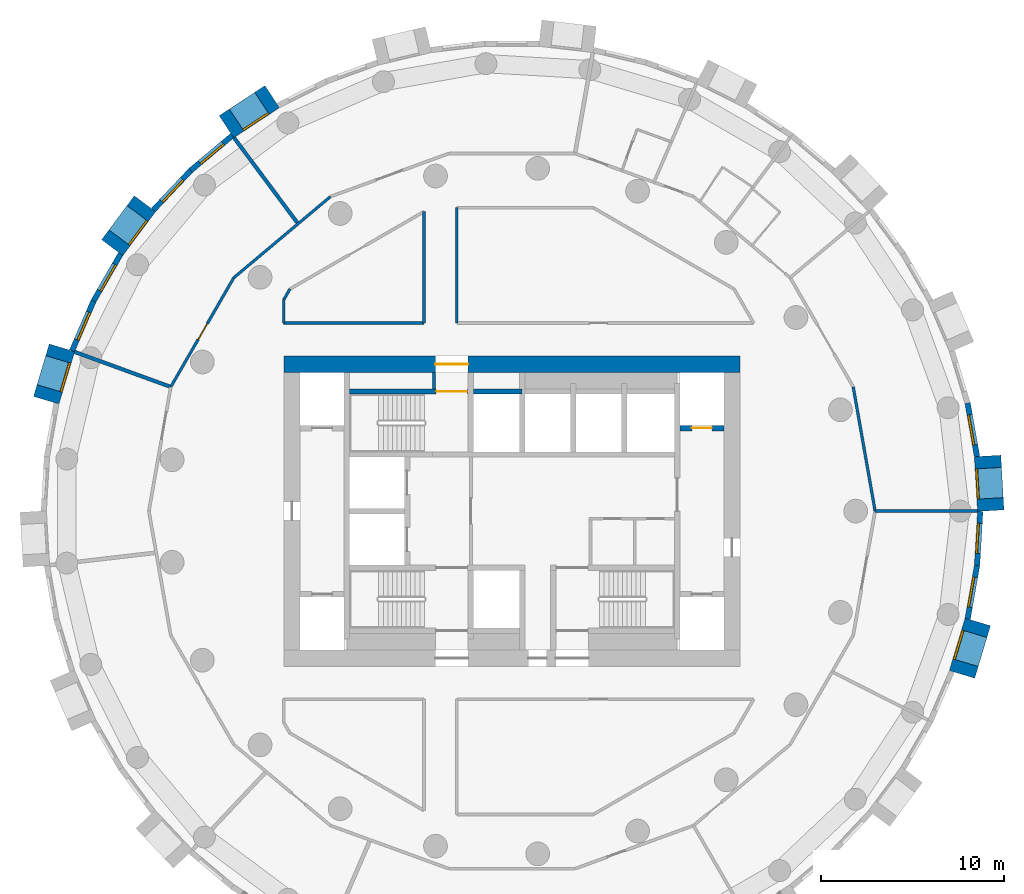
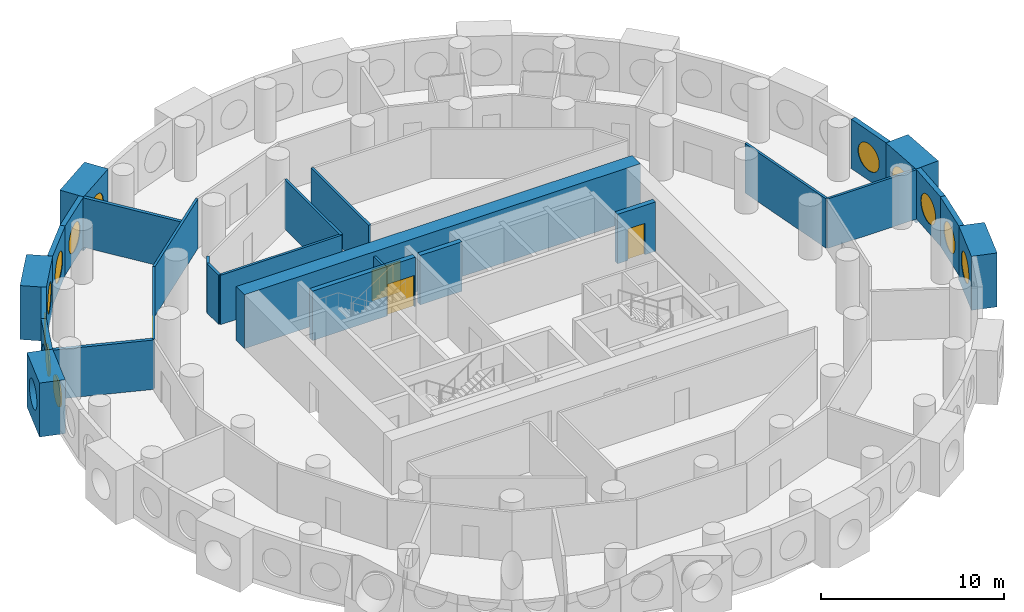
# One storey, part 5 of 9: 29 walls, 12 windows, 4 doors, 16 openings.
"""IFC4 building model written with IfcOpenShell, lengths in metres."""

import ifcopenshell
import ifcopenshell.guid

model = None  # the IFC model being written
_history = None  # IfcOwnerHistory: only IFC2X3 demands one
_inside = {}  # id of a spatial element -> (the spatial element, [elements in it])
_under = {}  # id of a project, library or spatial element -> (it, [spatial elements below it])
_declared = {}  # id of a project -> (the project, [libraries it declares])
_typed = {}  # id of a type object -> (the type object, [elements of that type])
_made_of = {}  # id of a material, layer set ... -> (it, [elements and type objects made of it])


def new_model(schema):
    """Start an empty IFC model of exactly this schema.

    Asked for "IFC4X3", IfcOpenShell would pick the latest addendum, in which some entities
    have other attributes; the version numbers below select the first issue.
    IFC2X3 requires an IfcOwnerHistory on every rooted entity: one is made here for all.
    """
    global model, _history
    if schema == "IFC4X3":
        model = ifcopenshell.file(schema_version=(4, 3, 0, 0))
    else:
        model = ifcopenshell.file(schema=schema)
    _inside.clear()
    _under.clear()
    _declared.clear()
    _typed.clear()
    _made_of.clear()
    _history = None
    if model.schema == "IFC2X3":
        org = make("IfcOrganization", Name="unknown")
        user = make(
            "IfcPersonAndOrganization",
            ThePerson=make("IfcPerson", FamilyName="unknown"),
            TheOrganization=org,
        )
        app = make(
            "IfcApplication",
            ApplicationDeveloper=org,
            Version="unknown",
            ApplicationFullName="unknown",
            ApplicationIdentifier="unknown",
        )
        _history = make(
            "IfcOwnerHistory",
            OwningUser=user,
            OwningApplication=app,
            ChangeAction="ADDED",
            CreationDate=0,
        )
    return model


def make(cls, **values):
    """One entity of the class cls with the attributes given. An attribute that is None is left unset."""
    return model.create_entity(
        cls, **{name: value for name, value in values.items() if value is not None}
    )


def rooted(cls, **values):
    """An entity with a GlobalId (a new one), such as an element, a storey or a relation."""
    return make(cls, GlobalId=ifcopenshell.guid.new(), OwnerHistory=_history, **values)


def si_unit(unit_type, name, prefix=None):
    """IfcSIUnit, for example si_unit("LENGTHUNIT", "METRE", prefix="MILLI")."""
    return make("IfcSIUnit", UnitType=unit_type, Prefix=prefix, Name=name)


def assignment(units):
    """IfcUnitAssignment: the units of a project."""
    return None if units is None else make("IfcUnitAssignment", Units=units)


def point(xyz):
    """IfcCartesianPoint."""
    return None if xyz is None else make("IfcCartesianPoint", Coordinates=xyz)


def direction(xyz):
    """IfcDirection."""
    return None if xyz is None else make("IfcDirection", DirectionRatios=xyz)


def frame(location, z_axis=None, x_axis=None):
    """IfcAxis2Placement3D, a coordinate frame: its origin and axes. An axis left out is left unset."""
    return make(
        "IfcAxis2Placement3D",
        Location=point(location),
        Axis=direction(z_axis),
        RefDirection=direction(x_axis),
    )


def frame_2d(location, x_axis=None):
    """IfcAxis2Placement2D, a coordinate frame in the plane: its origin and x axis."""
    return make(
        "IfcAxis2Placement2D", Location=point(location), RefDirection=direction(x_axis)
    )


def origin():
    """The frame at (0, 0, 0) with its axes left unset."""
    return frame((0.0, 0.0, 0.0))


def origin_2d():
    """The frame at (0, 0) in the plane with its x axis left unset."""
    return frame_2d((0.0, 0.0))


def place(relative_to, where):
    """IfcLocalPlacement: puts the frame where relative to a parent placement (None: the world)."""
    return make(
        "IfcLocalPlacement", PlacementRelTo=relative_to, RelativePlacement=where
    )


def context(
    kind, dimensions, precision=None, world=None, true_north=None, identifier=None
):
    """IfcGeometricRepresentationContext, for example the 3D "Model" context."""
    return make(
        "IfcGeometricRepresentationContext",
        ContextIdentifier=identifier,
        ContextType=kind,
        CoordinateSpaceDimension=dimensions,
        Precision=precision,
        WorldCoordinateSystem=world,
        TrueNorth=true_north,
    )


def subcontext(parent, identifier, kind, view, scale=None):
    """IfcGeometricRepresentationSubContext, for example "Body" below "Model"."""
    return make(
        "IfcGeometricRepresentationSubContext",
        ContextIdentifier=identifier,
        ContextType=kind,
        ParentContext=parent,
        TargetScale=scale,
        TargetView=view,
    )


def project(units=None, contexts=None):
    """IfcProject with its units and contexts."""
    return rooted(
        "IfcProject",
        Name="project",
        RepresentationContexts=contexts,
        UnitsInContext=assignment(units),
    )


def spatial(cls, under=None, at=None, **own):
    """A site, building, storey or space (cls), placed at a placement, below another one or the project."""
    s = rooted(cls, ObjectPlacement=at, **own)
    if under is not None:
        _under.setdefault(under.id(), (under, []))[1].append(s)
    return s


def profile(cls, at=None, kind="AREA", **sizes):
    """A parametric profile (cls). Its sizes go by their IFC names, for example OverallWidth=200.0."""
    return make(cls, ProfileType=kind, Position=at, **sizes)


def rectangle(**sizes):
    """IfcRectangleProfileDef."""
    return profile("IfcRectangleProfileDef", **sizes)


def circle(**sizes):
    """IfcCircleProfileDef."""
    return profile("IfcCircleProfileDef", **sizes)


def extrude(swept, where, along, depth):
    """IfcExtrudedAreaSolid: the profile swept, set in the frame where, extruded along a direction by depth."""
    return make(
        "IfcExtrudedAreaSolid",
        SweptArea=swept,
        Position=where,
        ExtrudedDirection=direction(along),
        Depth=depth,
    )


def shape(context_of_items, identifier, shape_type, items):
    """IfcShapeRepresentation: the items that make up one representation, for example the "Body"."""
    return make(
        "IfcShapeRepresentation",
        ContextOfItems=context_of_items,
        RepresentationIdentifier=identifier,
        RepresentationType=shape_type,
        Items=items,
    )


def material(Name=None, Category=None):
    """IfcMaterial."""
    return make("IfcMaterial", Name=Name, Category=Category)


def layer(
    of_material, thickness, ventilated=None, Name=None, Category=None, Priority=None
):
    """IfcMaterialLayer: one layer of a wall or slab, of a material (None: an air gap)."""
    return make(
        "IfcMaterialLayer",
        Material=of_material,
        LayerThickness=thickness,
        IsVentilated=ventilated,
        Name=Name,
        Category=Category,
        Priority=Priority,
    )


def layer_set(layers, Name=None):
    """IfcMaterialLayerSet."""
    return make("IfcMaterialLayerSet", MaterialLayers=layers, LayerSetName=Name)


def made_of(thing, what):
    """Note that an element or type object is made of a material, layer set ...; save() writes the relation."""
    if what is not None:
        _made_of.setdefault(what.id(), (what, []))[1].append(thing)
    return thing


def type_object(cls, material=None, **own):
    """A type object (cls), such as IfcWallType, which elements share."""
    return made_of(rooted(cls, **own), material)


def element(
    cls,
    number,
    at=None,
    inside=None,
    cuts=None,
    type_object=None,
    material=None,
    context=None,
    identifier="Body",
    shape_type=None,
    held_by="IfcProductDefinitionShape",
    body=None,
    shapes=None,
    **own,
):
    """One element of the class cls, such as IfcWall. Its Tag is "e" and its number.

    at: its placement. inside: the storey or other place that contains it. cuts: it is an
    opening in that element (IfcRelVoidsElement). A single representation is given by context,
    identifier, shape_type and body (its items); several are given by shapes. held_by: the class
    of the entity that holds the representations. save() writes the other relations.
    """
    e = rooted(cls, Tag="e%d" % number, ObjectPlacement=at, **own)
    if body is not None:
        shapes = [shape(context, identifier, shape_type, body)]
    if shapes is not None:
        e.Representation = make(held_by, Representations=shapes)
    if inside is not None:
        _inside.setdefault(inside.id(), (inside, []))[1].append(e)
    if cuts is not None:
        rooted(
            "IfcRelVoidsElement", RelatingBuildingElement=cuts, RelatedOpeningElement=e
        )
    if type_object is not None:
        _typed.setdefault(type_object.id(), (type_object, []))[1].append(e)
    return made_of(e, material)


def fill(opening, filler):
    """IfcRelFillsElement: the door or window that sits in an opening."""
    return rooted(
        "IfcRelFillsElement",
        RelatingOpeningElement=opening,
        RelatedBuildingElement=filler,
    )


def aggregate(whole, parts):
    """IfcRelAggregates: a whole, such as a stair, and the parts it consists of."""
    return rooted("IfcRelAggregates", RelatingObject=whole, RelatedObjects=parts)


def save(model, path):
    """Write the relations noted so far, then the file.

    IfcRelAggregates (storeys below a building ...), IfcRelContainedInSpatialStructure (elements
    in a storey), IfcRelDefinesByType, IfcRelAssociatesMaterial and IfcRelDeclares: one each for
    every whole, place, type object, material and project.
    """
    for whole, parts in _under.values():
        aggregate(whole, parts)
    for where, things in _inside.values():
        rooted(
            "IfcRelContainedInSpatialStructure",
            RelatedElements=things,
            RelatingStructure=where,
        )
    for kind, things in _typed.values():
        rooted("IfcRelDefinesByType", RelatedObjects=things, RelatingType=kind)
    for what, things in _made_of.values():
        rooted("IfcRelAssociatesMaterial", RelatedObjects=things, RelatingMaterial=what)
    for by, libraries in _declared.values():
        rooted("IfcRelDeclares", RelatingContext=by, RelatedDefinitions=libraries)
    model.write(path)


model = new_model("IFC4")

# Units and contexts
model_context = context("Model", 3, precision=1e-05, world=origin(), true_north=direction((0.0, 1.0)))
body_context = subcontext(model_context, "Body", "Model", "MODEL_VIEW")
ifc_project = project(units=[si_unit("LENGTHUNIT", "METRE"), si_unit("AREAUNIT", "SQUARE_METRE"), si_unit("VOLUMEUNIT", "CUBIC_METRE"), si_unit("PLANEANGLEUNIT", "RADIAN"), si_unit("MASSUNIT", "GRAM", prefix="KILO")], contexts=[model_context])

# Site, building, storey
site_placement = place(None, origin())
site = spatial("IfcSite", under=ifc_project, at=site_placement, CompositionType="ELEMENT")
building_placement = place(site_placement, origin())
building = spatial("IfcBuilding", under=site, at=building_placement, Name="Tracery Tower", CompositionType="ELEMENT")
storey_placement = place(building_placement, frame((0.0, 0.0, 147.60009765625)))
storey = spatial("IfcBuildingStorey", under=building, at=storey_placement, Name="L37", CompositionType="ELEMENT", Elevation=147.60009765625)

# Wall
ifc_material_1 = material(Name="Plasterboard on steel studs", Category="steel")
ifc_layer_1 = layer(ifc_material_1, 0.14990234375)
ifc_layer_set_1 = layer_set([ifc_layer_1], Name="Core room partition 150")
wall_type_1 = type_object("IfcWallType", Name="Core room partition 150", PredefinedType="SOLIDWALL", material=ifc_layer_set_1)
wall_1_placement = place(storey_placement, frame((-4.27490234375, 6.699951171875, 0.0), z_axis=(0.0, 0.0, 1.0), x_axis=(0.0, 1.0, 0.0)))
element("IfcWall", 1, at=wall_1_placement, inside=storey, type_object=wall_type_1, Name="L37 F N room", PredefinedType="SOLIDWALL", context=body_context, shape_type="SweptSolid", body=[
    extrude(rectangle(XDim=0.900146484375, YDim=0.14990234375, at=frame_2d((0.4501953125, 0.0))), origin(), (0.0, 0.0, 1.0), 3.2998046875),
])

# Wall, opening, door
ifc_material_2 = material(Name="Concrete C50/60", Category="concrete")
ifc_layer_2 = layer(ifc_material_2, 0.89990234375)
ifc_layer_set_2 = layer_set([ifc_layer_2], Name="Core wall 900 C50")
wall_type_2 = type_object("IfcWallType", Name="Core wall 900 C50", PredefinedType="SOLIDWALL", material=ifc_layer_set_2)
wall_2_placement = place(storey_placement, frame((-12.5, 8.050048828125, 0.0), z_axis=(0.0, 0.0, 1.0), x_axis=(1.0, 0.0, 0.0)))
wall_2 = element("IfcWall", 2, at=wall_2_placement, inside=storey, type_object=wall_type_2, Name="L37 outer N", PredefinedType="SOLIDWALL", context=body_context, shape_type="SweptSolid", body=[
    extrude(rectangle(XDim=25.0, YDim=0.89990234375, at=frame_2d((12.5, 0.0))), origin(), (0.0, 0.0, 1.0), 3.599853515625),
])
opening_1_placement = place(wall_2_placement, frame((8.300048828125, 0.0, 0.0)))
opening_1 = element("IfcOpeningElement", 3, at=opening_1_placement, cuts=wall_2, Name="Opening KD13", PredefinedType="OPENING", context=body_context, shape_type="SweptSolid", body=[
    extrude(rectangle(XDim=1.800048828125, YDim=2.10009765625, at=frame_2d((0.89990234375, 1.050048828125))), frame((0.0, 0.449951171875, 0.0), z_axis=(0.0, -1.0, 0.0), x_axis=(1.0, 0.0, 0.0)), (0.0, 0.0, 1.0), 0.89990234375),
])
ifc_material_3 = material(Name="Steel fire door", Category="steel")
door_type_1 = type_object("IfcDoorType", Name="Core exit door 1800 double", OperationType="NOTDEFINED", PredefinedType="DOOR", material=ifc_material_3)
door_1_placement = place(opening_1_placement, origin())
door_1 = element("IfcDoor", 4, at=door_1_placement, inside=storey, type_object=door_type_1, Name="Core exit door", OperationType="DOUBLE_DOOR_SINGLE_SWING", OverallHeight=2.10009765625, OverallWidth=1.800048828125, PredefinedType="DOOR", context=body_context, shape_type="SweptSolid", body=[
    extrude(rectangle(XDim=1.800048828125, YDim=2.10009765625, at=frame_2d((0.89990234375, 1.050048828125))), frame((0.0, 0.02490234375, 0.0), z_axis=(0.0, -1.0, 0.0), x_axis=(1.0, 0.0, 0.0)), (0.0, 0.0, 1.0), 0.050048828125),
])
fill(opening_1, door_1)

# Wall, opening, window
ifc_material_4 = material(Name="Precast concrete C50/60", Category="concrete")
ifc_layer_3 = layer(ifc_material_4, 1.449951171875)
ifc_layer_set_3 = layer_set([ifc_layer_3], Name="Deep-set bay unit 3000 x 3600, slab edge 300")
wall_type_3 = type_object("IfcWallType", Name="Deep-set bay unit 3000 x 3600, slab edge 300", PredefinedType="ELEMENTEDWALL", material=ifc_layer_set_3)
wall_3_placement = place(storey_placement, frame((26.221923828125, 0.024658203125, -0.300048828125), z_axis=(0.0, 0.0, 1.0), x_axis=(-0.058106596105, 0.998310384344, 0.0)))
wall_3 = element("IfcWall", 5, at=wall_3_placement, inside=storey, type_object=wall_type_3, Name="Deep-set bay unit 1 at L37", PredefinedType="ELEMENTEDWALL", context=body_context, shape_type="SweptSolid", body=[
    extrude(rectangle(XDim=3.0, YDim=1.449951171875, at=frame_2d((1.5, 0.0))), origin(), (0.0, 0.0, 1.0), 3.599853515625),
])
opening_2_placement = place(wall_3_placement, frame((1.5, 0.0, 1.85009765625)))
opening_2 = element("IfcOpeningElement", 6, at=opening_2_placement, cuts=wall_3, Name="Opening WN1", PredefinedType="OPENING", context=body_context, shape_type="SweptSolid", body=[
    extrude(circle(Radius=0.9000244140625, at=origin_2d()), frame((0.0, 0.73486328125, 0.0), z_axis=(0.0, -1.0, 0.0), x_axis=(1.0, 0.0, 0.0)), (0.0, 0.0, 1.0), 1.469970703125),
])
ifc_material_5 = material(Name="Aluminium frame with tinted double glazing", Category="aluminium")
window_type = type_object("IfcWindowType", Name="Round window 1800", PartitioningType="SINGLE_PANEL", PredefinedType="WINDOW", material=ifc_material_5)
window_1_placement = place(opening_2_placement, origin())
window_1 = element("IfcWindow", 7, at=window_1_placement, inside=storey, type_object=window_type, Name="Round window 1 at L37", OverallHeight=1.800048828125, OverallWidth=1.800048828125, PartitioningType="SINGLE_PANEL", PredefinedType="WINDOW", context=body_context, shape_type="SweptSolid", body=[
    extrude(circle(Radius=0.9000244140625, at=origin_2d()), frame((0.0, 0.69482421875, 0.0), z_axis=(0.0, -1.0, 0.0), x_axis=(1.0, 0.0, 0.0)), (0.0, 0.0, 1.0), 0.10009765625),
])
fill(opening_2, window_1)

wall_4_placement = place(storey_placement, frame((-13.13232421875, 22.696533203125, -0.300048828125), z_axis=(0.0, 0.0, 1.0), x_axis=(-0.835514416706, -0.549468524554, 0.0)))
wall_4 = element("IfcWall", 8, at=wall_4_placement, inside=storey, type_object=wall_type_3, Name="Deep-set bay unit 19 at L37", PredefinedType="ELEMENTEDWALL", context=body_context, shape_type="SweptSolid", body=[
    extrude(rectangle(XDim=3.0, YDim=1.449951171875, at=frame_2d((1.5, 0.0))), origin(), (0.0, 0.0, 1.0), 3.599853515625),
])
opening_3_placement = place(wall_4_placement, frame((1.5, 0.0, 1.85009765625)))
opening_3 = element("IfcOpeningElement", 9, at=opening_3_placement, cuts=wall_4, Name="Opening WN1", PredefinedType="OPENING", context=body_context, shape_type="SweptSolid", body=[
    extrude(circle(Radius=0.9000244140625, at=origin_2d()), frame((0.0, 0.73486328125, 0.0), z_axis=(0.0, -1.0, 0.0), x_axis=(1.0, 0.0, 0.0)), (0.0, 0.0, 1.0), 1.469970703125),
])
window_2_placement = place(opening_3_placement, origin())
window_2 = element("IfcWindow", 10, at=window_2_placement, inside=storey, type_object=window_type, Name="Round window 19 at L37", OverallHeight=1.800048828125, OverallWidth=1.800048828125, PartitioningType="SINGLE_PANEL", PredefinedType="WINDOW", context=body_context, shape_type="SweptSolid", body=[
    extrude(circle(Radius=0.9000244140625, at=origin_2d()), frame((0.0, 0.69482421875, 0.0), z_axis=(0.0, -1.0, 0.0), x_axis=(1.0, 0.0, 0.0)), (0.0, 0.0, 1.0), 0.10009765625),
])
fill(opening_3, window_2)

wall_5_placement = place(storey_placement, frame((-20.10302734375, 16.836181640625, -0.300048828125), z_axis=(0.0, 0.0, 1.0), x_axis=(-0.597183717734, -0.802104486506, 0.0)))
wall_5 = element("IfcWall", 11, at=wall_5_placement, inside=storey, type_object=wall_type_3, Name="Deep-set bay unit 22 at L37", PredefinedType="ELEMENTEDWALL", context=body_context, shape_type="SweptSolid", body=[
    extrude(rectangle(XDim=3.0, YDim=1.449951171875, at=frame_2d((1.5, 0.0))), origin(), (0.0, 0.0, 1.0), 3.599853515625),
])
opening_4_placement = place(wall_5_placement, frame((1.5, 0.0, 1.85009765625)))
opening_4 = element("IfcOpeningElement", 12, at=opening_4_placement, cuts=wall_5, Name="Opening WN1", PredefinedType="OPENING", context=body_context, shape_type="SweptSolid", body=[
    extrude(circle(Radius=0.9000244140625, at=origin_2d()), frame((0.0, 0.73486328125, 0.0), z_axis=(0.0, -1.0, 0.0), x_axis=(1.0, 0.0, 0.0)), (0.0, 0.0, 1.0), 1.469970703125),
])
window_3_placement = place(opening_4_placement, origin())
window_3 = element("IfcWindow", 13, at=window_3_placement, inside=storey, type_object=window_type, Name="Round window 22 at L37", OverallHeight=1.800048828125, OverallWidth=1.800048828125, PartitioningType="SINGLE_PANEL", PredefinedType="WINDOW", context=body_context, shape_type="SweptSolid", body=[
    extrude(circle(Radius=0.9000244140625, at=origin_2d()), frame((0.0, 0.69482421875, 0.0), z_axis=(0.0, -1.0, 0.0), x_axis=(1.0, 0.0, 0.0)), (0.0, 0.0, 1.0), 0.10009765625),
])
fill(opening_4, window_3)

wall_6_placement = place(storey_placement, frame((-24.649169921875, 8.9453125, -0.300048828125), z_axis=(0.0, 0.0, 1.0), x_axis=(-0.286780420304, -0.957996341606, 0.0)))
wall_6 = element("IfcWall", 14, at=wall_6_placement, inside=storey, type_object=wall_type_3, Name="Deep-set bay unit 25 at L37", PredefinedType="ELEMENTEDWALL", context=body_context, shape_type="SweptSolid", body=[
    extrude(rectangle(XDim=3.0, YDim=1.449951171875, at=frame_2d((1.5, 0.0))), origin(), (0.0, 0.0, 1.0), 3.599853515625),
])
opening_5_placement = place(wall_6_placement, frame((1.5, 0.0, 1.85009765625)))
opening_5 = element("IfcOpeningElement", 15, at=opening_5_placement, cuts=wall_6, Name="Opening WN1", PredefinedType="OPENING", context=body_context, shape_type="SweptSolid", body=[
    extrude(circle(Radius=0.9000244140625, at=origin_2d()), frame((0.0, 0.73486328125, 0.0), z_axis=(0.0, -1.0, 0.0), x_axis=(1.0, 0.0, 0.0)), (0.0, 0.0, 1.0), 1.469970703125),
])
window_4_placement = place(opening_5_placement, origin())
window_4 = element("IfcWindow", 16, at=window_4_placement, inside=storey, type_object=window_type, Name="Round window 25 at L37", OverallHeight=1.800048828125, OverallWidth=1.800048828125, PartitioningType="SINGLE_PANEL", PredefinedType="WINDOW", context=body_context, shape_type="SweptSolid", body=[
    extrude(circle(Radius=0.9000244140625, at=origin_2d()), frame((0.0, 0.69482421875, 0.0), z_axis=(0.0, -1.0, 0.0), x_axis=(1.0, 0.0, 0.0)), (0.0, 0.0, 1.0), 0.10009765625),
])
fill(opening_5, window_4)

wall_7_placement = place(storey_placement, frame((24.649169921875, -8.9453125, -0.300048828125), z_axis=(0.0, 0.0, 1.0), x_axis=(0.286780420304, 0.957996341606, 0.0)))
wall_7 = element("IfcWall", 17, at=wall_7_placement, inside=storey, type_object=wall_type_3, Name="Deep-set bay unit 52 at L37", PredefinedType="ELEMENTEDWALL", context=body_context, shape_type="SweptSolid", body=[
    extrude(rectangle(XDim=3.0, YDim=1.449951171875, at=frame_2d((1.5, 0.0))), origin(), (0.0, 0.0, 1.0), 3.599853515625),
])
opening_6_placement = place(wall_7_placement, frame((1.5, 0.0, 1.85009765625)))
opening_6 = element("IfcOpeningElement", 18, at=opening_6_placement, cuts=wall_7, Name="Opening WN1", PredefinedType="OPENING", context=body_context, shape_type="SweptSolid", body=[
    extrude(circle(Radius=0.9000244140625, at=origin_2d()), frame((0.0, 0.73486328125, 0.0), z_axis=(0.0, -1.0, 0.0), x_axis=(1.0, 0.0, 0.0)), (0.0, 0.0, 1.0), 1.469970703125),
])
window_5_placement = place(opening_6_placement, origin())
window_5 = element("IfcWindow", 19, at=window_5_placement, inside=storey, type_object=window_type, Name="Round window 52 at L37", OverallHeight=1.800048828125, OverallWidth=1.800048828125, PartitioningType="SINGLE_PANEL", PredefinedType="WINDOW", context=body_context, shape_type="SweptSolid", body=[
    extrude(circle(Radius=0.9000244140625, at=origin_2d()), frame((0.0, 0.69482421875, 0.0), z_axis=(0.0, -1.0, 0.0), x_axis=(1.0, 0.0, 0.0)), (0.0, 0.0, 1.0), 0.10009765625),
])
fill(opening_6, window_5)

ifc_material_6 = material(Name="Precast concrete C50/60", Category="concrete")
ifc_layer_4 = layer(ifc_material_6, 0.300048828125)
ifc_layer_set_4 = layer_set([ifc_layer_4], Name="Facade panel 3000 x 3300")
wall_type_4 = type_object("IfcWallType", Name="Facade panel 3000 x 3300", PredefinedType="SOLIDWALL", material=ifc_layer_set_4)
wall_8_placement = place(storey_placement, frame((25.472412109375, 2.987060546875, 0.0), z_axis=(0.0, 0.0, 1.0), x_axis=(-0.173686952598, 0.984800915159, 0.0)))
wall_8 = element("IfcWall", 20, at=wall_8_placement, inside=storey, type_object=wall_type_4, Name="Facade panel 2 at L37", PredefinedType="SOLIDWALL", context=body_context, shape_type="SweptSolid", body=[
    extrude(rectangle(XDim=2.972900390625, YDim=0.300048828125, at=frame_2d((1.486328125, 0.0))), origin(), (0.0, 0.0, 1.0), 3.2998046875),
])
opening_7_placement = place(wall_8_placement, frame((1.486328125, 0.0, 1.5498046875)))
opening_7 = element("IfcOpeningElement", 21, at=opening_7_placement, cuts=wall_8, Name="Opening WN1", PredefinedType="OPENING", context=body_context, shape_type="SweptSolid", body=[
    extrude(circle(Radius=0.9000244140625, at=origin_2d()), frame((0.0, 0.159912109375, 0.0), z_axis=(0.0, -1.0, 0.0), x_axis=(1.0, 0.0, 0.0)), (0.0, 0.0, 1.0), 0.320068359375),
])
window_6_placement = place(opening_7_placement, origin())
window_6 = element("IfcWindow", 22, at=window_6_placement, inside=storey, type_object=window_type, Name="Round window 2 at L37", OverallHeight=1.800048828125, OverallWidth=1.800048828125, PartitioningType="SINGLE_PANEL", PredefinedType="WINDOW", context=body_context, shape_type="SweptSolid", body=[
    extrude(circle(Radius=0.9000244140625, at=origin_2d()), frame((0.0, 0.1201171875, 0.0), z_axis=(0.0, -1.0, 0.0), x_axis=(1.0, 0.0, 0.0)), (0.0, 0.0, 1.0), 0.10009765625),
])
fill(opening_7, window_6)

wall_9_placement = place(storey_placement, frame((-15.322998046875, 20.566162109375, 0.0), z_axis=(0.0, 0.0, 1.0), x_axis=(-0.766049350637, -0.642781761089, 0.0)))
wall_9 = element("IfcWall", 23, at=wall_9_placement, inside=storey, type_object=wall_type_4, Name="Facade panel 20 at L37", PredefinedType="SOLIDWALL", context=body_context, shape_type="SweptSolid", body=[
    extrude(rectangle(XDim=2.972900390625, YDim=0.300048828125, at=frame_2d((1.486328125, 0.0))), origin(), (0.0, 0.0, 1.0), 3.2998046875),
])
opening_8_placement = place(wall_9_placement, frame((1.486328125, 0.0, 1.5498046875)))
opening_8 = element("IfcOpeningElement", 24, at=opening_8_placement, cuts=wall_9, Name="Opening WN1", PredefinedType="OPENING", context=body_context, shape_type="SweptSolid", body=[
    extrude(circle(Radius=0.9000244140625, at=origin_2d()), frame((0.0, 0.159912109375, 0.0), z_axis=(0.0, -1.0, 0.0), x_axis=(1.0, 0.0, 0.0)), (0.0, 0.0, 1.0), 0.320068359375),
])
window_7_placement = place(opening_8_placement, origin())
window_7 = element("IfcWindow", 25, at=window_7_placement, inside=storey, type_object=window_type, Name="Round window 20 at L37", OverallHeight=1.800048828125, OverallWidth=1.800048828125, PartitioningType="SINGLE_PANEL", PredefinedType="WINDOW", context=body_context, shape_type="SweptSolid", body=[
    extrude(circle(Radius=0.9000244140625, at=origin_2d()), frame((0.0, 0.1201171875, 0.0), z_axis=(0.0, -1.0, 0.0), x_axis=(1.0, 0.0, 0.0)), (0.0, 0.0, 1.0), 0.10009765625),
])
fill(opening_8, window_7)

wall_10_placement = place(storey_placement, frame((-17.600341796875, 18.6552734375, 0.0), z_axis=(0.0, 0.0, 1.0), x_axis=(-0.686235184166, -0.727379730273, 0.0)))
wall_10 = element("IfcWall", 26, at=wall_10_placement, inside=storey, type_object=wall_type_4, Name="Facade panel 21 at L37", PredefinedType="SOLIDWALL", context=body_context, shape_type="SweptSolid", body=[
    extrude(rectangle(XDim=2.972900390625, YDim=0.300048828125, at=frame_2d((1.486328125, 0.0))), origin(), (0.0, 0.0, 1.0), 3.2998046875),
])
opening_9_placement = place(wall_10_placement, frame((1.486328125, 0.0, 1.5498046875)))
opening_9 = element("IfcOpeningElement", 27, at=opening_9_placement, cuts=wall_10, Name="Opening WN1", PredefinedType="OPENING", context=body_context, shape_type="SweptSolid", body=[
    extrude(circle(Radius=0.9000244140625, at=origin_2d()), frame((0.0, 0.159912109375, 0.0), z_axis=(0.0, -1.0, 0.0), x_axis=(1.0, 0.0, 0.0)), (0.0, 0.0, 1.0), 0.320068359375),
])
window_8_placement = place(opening_9_placement, origin())
window_8 = element("IfcWindow", 28, at=window_8_placement, inside=storey, type_object=window_type, Name="Round window 21 at L37", OverallHeight=1.800048828125, OverallWidth=1.800048828125, PartitioningType="SINGLE_PANEL", PredefinedType="WINDOW", context=body_context, shape_type="SweptSolid", body=[
    extrude(circle(Radius=0.9000244140625, at=origin_2d()), frame((0.0, 0.1201171875, 0.0), z_axis=(0.0, -1.0, 0.0), x_axis=(1.0, 0.0, 0.0)), (0.0, 0.0, 1.0), 0.10009765625),
])
fill(opening_9, window_8)

wall_11_placement = place(storey_placement, frame((-21.432861328125, 14.085205078125, 0.0), z_axis=(0.0, 0.0, 1.0), x_axis=(-0.500016263033, -0.866016014115, 0.0)))
wall_11 = element("IfcWall", 29, at=wall_11_placement, inside=storey, type_object=wall_type_4, Name="Facade panel 23 at L37", PredefinedType="SOLIDWALL", context=body_context, shape_type="SweptSolid", body=[
    extrude(rectangle(XDim=2.97314453125, YDim=0.300048828125, at=frame_2d((1.486572265625, 0.0))), origin(), (0.0, 0.0, 1.0), 3.2998046875),
])
opening_10_placement = place(wall_11_placement, frame((1.486328125, 0.0, 1.5498046875)))
opening_10 = element("IfcOpeningElement", 30, at=opening_10_placement, cuts=wall_11, Name="Opening WN1", PredefinedType="OPENING", context=body_context, shape_type="SweptSolid", body=[
    extrude(circle(Radius=0.9000244140625, at=origin_2d()), frame((0.0, 0.159912109375, 0.0), z_axis=(0.0, -1.0, 0.0), x_axis=(1.0, 0.0, 0.0)), (0.0, 0.0, 1.0), 0.320068359375),
])
window_9_placement = place(opening_10_placement, origin())
window_9 = element("IfcWindow", 31, at=window_9_placement, inside=storey, type_object=window_type, Name="Round window 23 at L37", OverallHeight=1.800048828125, OverallWidth=1.800048828125, PartitioningType="SINGLE_PANEL", PredefinedType="WINDOW", context=body_context, shape_type="SweptSolid", body=[
    extrude(circle(Radius=0.9000244140625, at=origin_2d()), frame((0.0, 0.1201171875, 0.0), z_axis=(0.0, -1.0, 0.0), x_axis=(1.0, 0.0, 0.0)), (0.0, 0.0, 1.0), 0.10009765625),
])
fill(opening_10, window_9)

wall_12_placement = place(storey_placement, frame((-22.91943359375, 11.510498046875, 0.0), z_axis=(0.0, 0.0, 1.0), x_axis=(-0.396078892785, -0.918216483565, 0.0)))
wall_12 = element("IfcWall", 32, at=wall_12_placement, inside=storey, type_object=wall_type_4, Name="Facade panel 24 at L37", PredefinedType="SOLIDWALL", context=body_context, shape_type="SweptSolid", body=[
    extrude(rectangle(XDim=2.972900390625, YDim=0.300048828125, at=frame_2d((1.486328125, 0.0))), origin(), (0.0, 0.0, 1.0), 3.2998046875),
])
opening_11_placement = place(wall_12_placement, frame((1.486328125, 0.0, 1.5498046875)))
opening_11 = element("IfcOpeningElement", 33, at=opening_11_placement, cuts=wall_12, Name="Opening WN1", PredefinedType="OPENING", context=body_context, shape_type="SweptSolid", body=[
    extrude(circle(Radius=0.9000244140625, at=origin_2d()), frame((0.0, 0.159912109375, 0.0), z_axis=(0.0, -1.0, 0.0), x_axis=(1.0, 0.0, 0.0)), (0.0, 0.0, 1.0), 0.320068359375),
])
window_10_placement = place(opening_11_placement, origin())
window_10 = element("IfcWindow", 34, at=window_10_placement, inside=storey, type_object=window_type, Name="Round window 24 at L37", OverallHeight=1.800048828125, OverallWidth=1.800048828125, PartitioningType="SINGLE_PANEL", PredefinedType="WINDOW", context=body_context, shape_type="SweptSolid", body=[
    extrude(circle(Radius=0.9000244140625, at=origin_2d()), frame((0.0, 0.1201171875, 0.0), z_axis=(0.0, -1.0, 0.0), x_axis=(1.0, 0.0, 0.0)), (0.0, 0.0, 1.0), 0.10009765625),
])
fill(opening_11, window_10)

wall_13_placement = place(storey_placement, frame((24.957763671875, -5.9052734375, 0.0), z_axis=(0.0, 0.0, 1.0), x_axis=(0.173686952598, 0.984800915159, 0.0)))
wall_13 = element("IfcWall", 35, at=wall_13_placement, inside=storey, type_object=wall_type_4, Name="Facade panel 53 at L37", PredefinedType="SOLIDWALL", context=body_context, shape_type="SweptSolid", body=[
    extrude(rectangle(XDim=2.972900390625, YDim=0.300048828125, at=frame_2d((1.486328125, 0.0))), origin(), (0.0, 0.0, 1.0), 3.2998046875),
])
opening_12_placement = place(wall_13_placement, frame((1.486328125, 0.0, 1.5498046875)))
opening_12 = element("IfcOpeningElement", 36, at=opening_12_placement, cuts=wall_13, Name="Opening WN1", PredefinedType="OPENING", context=body_context, shape_type="SweptSolid", body=[
    extrude(circle(Radius=0.9000244140625, at=origin_2d()), frame((0.0, 0.159912109375, 0.0), z_axis=(0.0, -1.0, 0.0), x_axis=(1.0, 0.0, 0.0)), (0.0, 0.0, 1.0), 0.320068359375),
])
window_11_placement = place(opening_12_placement, origin())
window_11 = element("IfcWindow", 37, at=window_11_placement, inside=storey, type_object=window_type, Name="Round window 53 at L37", OverallHeight=1.800048828125, OverallWidth=1.800048828125, PartitioningType="SINGLE_PANEL", PredefinedType="WINDOW", context=body_context, shape_type="SweptSolid", body=[
    extrude(circle(Radius=0.9000244140625, at=origin_2d()), frame((0.0, 0.1201171875, 0.0), z_axis=(0.0, -1.0, 0.0), x_axis=(1.0, 0.0, 0.0)), (0.0, 0.0, 1.0), 0.10009765625),
])
fill(opening_12, window_11)

wall_14_placement = place(storey_placement, frame((25.47412109375, -2.9775390625, 0.0), z_axis=(0.0, 0.0, 1.0), x_axis=(0.058139540521, 0.998308466271, 0.0)))
wall_14 = element("IfcWall", 38, at=wall_14_placement, inside=storey, type_object=wall_type_4, Name="Facade panel 54 at L37", PredefinedType="SOLIDWALL", context=body_context, shape_type="SweptSolid", body=[
    extrude(rectangle(XDim=2.97314453125, YDim=0.300048828125, at=frame_2d((1.486572265625, 0.0))), origin(), (0.0, 0.0, 1.0), 3.2998046875),
])
opening_13_placement = place(wall_14_placement, frame((1.486328125, 0.0, 1.5498046875)))
opening_13 = element("IfcOpeningElement", 39, at=opening_13_placement, cuts=wall_14, Name="Opening WN1", PredefinedType="OPENING", context=body_context, shape_type="SweptSolid", body=[
    extrude(circle(Radius=0.9000244140625, at=origin_2d()), frame((0.0, 0.159912109375, 0.0), z_axis=(0.0, -1.0, 0.0), x_axis=(1.0, 0.0, 0.0)), (0.0, 0.0, 1.0), 0.320068359375),
])
window_12_placement = place(opening_13_placement, origin())
window_12 = element("IfcWindow", 40, at=window_12_placement, inside=storey, type_object=window_type, Name="Round window 54 at L37", OverallHeight=1.800048828125, OverallWidth=1.800048828125, PartitioningType="SINGLE_PANEL", PredefinedType="WINDOW", context=body_context, shape_type="SweptSolid", body=[
    extrude(circle(Radius=0.9000244140625, at=origin_2d()), frame((0.0, 0.1201171875, 0.0), z_axis=(0.0, -1.0, 0.0), x_axis=(1.0, 0.0, 0.0)), (0.0, 0.0, 1.0), 0.10009765625),
])
fill(opening_13, window_12)

# Walls
ifc_material_7 = material(Name="Plasterboard on steel studs", Category="steel")
ifc_layer_5 = layer(ifc_material_7, 0.14990234375)
ifc_layer_set_5 = layer_set([ifc_layer_5], Name="Partition 150 acoustic unit wall")
wall_type_5 = type_object("IfcWallType", Name="Partition 150 acoustic unit wall", PredefinedType="PARTITIONING", material=ifc_layer_set_5)
wall_15_placement = place(storey_placement, frame((19.887939453125, 0.0, 0.0), z_axis=(0.0, 0.0, 1.0), x_axis=(1.0, 0.0, 0.0)))
element("IfcWall", 41, at=wall_15_placement, inside=storey, type_object=wall_type_5, Name="Unit wall RB3-040", PredefinedType="PARTITIONING", context=body_context, shape_type="SweptSolid", body=[
    extrude(rectangle(XDim=5.609130859375, YDim=0.14990234375, at=frame_2d((2.8046875, 0.0))), origin(), (0.0, 0.0, 1.0), 3.2998046875),
])
ifc_material_8 = material(Name="Plasterboard on steel studs", Category="steel")
ifc_layer_6 = layer(ifc_material_8, 0.14990234375)
ifc_layer_set_6 = layer_set([ifc_layer_6], Name="Partition 150 corridor wall")
wall_type_6 = type_object("IfcWallType", Name="Partition 150 corridor wall", PredefinedType="PARTITIONING", material=ifc_layer_set_6)
wall_16_placement = place(storey_placement, frame((-12.50390625, 10.300048828125, 0.0), z_axis=(0.0, 0.0, 1.0), x_axis=(1.0, 0.0, 0.0)))
element("IfcWall", 42, at=wall_16_placement, inside=storey, type_object=wall_type_6, Name="Corridor wall RB3-001", PredefinedType="PARTITIONING", context=body_context, shape_type="SweptSolid", body=[
    extrude(rectangle(XDim=7.68701171875, YDim=0.14990234375, at=frame_2d((3.843505859375, 0.0))), origin(), (0.0, 0.0, 1.0), 3.2998046875),
])
wall_17_placement = place(storey_placement, frame((18.68798828125, 6.802001953125, 0.0), z_axis=(0.0, 0.0, 1.0), x_axis=(0.173728873845, -0.98479352069, 0.0)))
element("IfcWall", 43, at=wall_17_placement, inside=storey, type_object=wall_type_6, Name="Corridor wall RB3-008", PredefinedType="PARTITIONING", context=body_context, shape_type="SweptSolid", body=[
    extrude(rectangle(XDim=6.906982421875, YDim=0.14990234375, at=frame_2d((3.45361328125, 0.0))), origin(), (0.0, 0.0, 1.0), 3.2998046875),
])
wall_18_placement = place(storey_placement, frame((-4.821044921875, 10.300048828125, 0.0), z_axis=(0.0, 0.0, 1.0), x_axis=(0.0, 1.0, 0.0)))
element("IfcWall", 44, at=wall_18_placement, inside=storey, type_object=wall_type_6, Name="Corridor wall RB3-013", PredefinedType="PARTITIONING", context=body_context, shape_type="SweptSolid", body=[
    extrude(rectangle(XDim=6.100830078125, YDim=0.14990234375, at=frame_2d((3.05029296875, 0.0))), origin(), (0.0, 0.0, 1.0), 3.2998046875),
])
wall_19_placement = place(storey_placement, frame((-3.02099609375, 10.300048828125, 0.0), z_axis=(0.0, 0.0, 1.0), x_axis=(0.0, 1.0, 0.0)))
element("IfcWall", 45, at=wall_19_placement, inside=storey, type_object=wall_type_6, Name="Corridor wall RB3-017", PredefinedType="PARTITIONING", context=body_context, shape_type="SweptSolid", body=[
    extrude(rectangle(XDim=6.31396484375, YDim=0.14990234375, at=frame_2d((3.156982421875, 0.0))), origin(), (0.0, 0.0, 1.0), 3.2998046875),
])
wall_20_placement = place(storey_placement, frame((-15.23388671875, 12.78271484375, 0.0), z_axis=(0.0, 0.0, 1.0), x_axis=(0.765936018543, 0.642916802937, 0.0)))
element("IfcWall", 46, at=wall_20_placement, inside=storey, type_object=wall_type_6, Name="Corridor wall RB3-019", PredefinedType="PARTITIONING", context=body_context, shape_type="SweptSolid", body=[
    extrude(rectangle(XDim=6.90625, YDim=0.14990234375, at=frame_2d((3.453125, 0.0))), origin(), (0.0, 0.0, 1.0), 3.2998046875),
])
wall_21_placement = place(storey_placement, frame((-12.5, 11.576904296875, 0.0), z_axis=(0.0, 0.0, 1.0), x_axis=(0.500024767483, 0.866011103799, 0.0)))
element("IfcWall", 47, at=wall_21_placement, inside=storey, type_object=wall_type_6, Name="Corridor wall RB3-022", PredefinedType="PARTITIONING", context=body_context, shape_type="SweptSolid", body=[
    extrude(rectangle(XDim=0.67578125, YDim=0.14990234375, at=frame_2d((0.337890625, 0.0))), origin(), (0.0, 0.0, 1.0), 3.2998046875),
])
wall_22_placement = place(storey_placement, frame((-12.5, 10.300048828125, 0.0), z_axis=(0.0, 0.0, 1.0), x_axis=(0.0, 1.0, 0.0)))
element("IfcWall", 48, at=wall_22_placement, inside=storey, type_object=wall_type_6, Name="Corridor wall RB3-023", PredefinedType="PARTITIONING", context=body_context, shape_type="SweptSolid", body=[
    extrude(rectangle(XDim=1.27685546875, YDim=0.14990234375, at=frame_2d((0.638427734375, 0.0))), origin(), (0.0, 0.0, 1.0), 3.2998046875),
])

# Wall, opening, door
wall_23_placement = place(storey_placement, frame((-18.68798828125, 6.802001953125, 0.0), z_axis=(0.0, 0.0, 1.0), x_axis=(0.499914202267, 0.866074933462, 0.0)))
wall_23 = element("IfcWall", 49, at=wall_23_placement, inside=storey, type_object=wall_type_6, Name="Corridor wall RB3-026", PredefinedType="PARTITIONING", context=body_context, shape_type="SweptSolid", body=[
    extrude(rectangle(XDim=6.906982421875, YDim=0.14990234375, at=frame_2d((3.45361328125, 0.0))), origin(), (0.0, 0.0, 1.0), 3.2998046875),
])
opening_14_placement = place(wall_23_placement, frame((3.00390625, 0.0, 0.0)))
opening_14 = element("IfcOpeningElement", 50, at=opening_14_placement, cuts=wall_23, Name="Opening RB3-13", PredefinedType="OPENING", context=body_context, shape_type="SweptSolid", body=[
    extrude(rectangle(XDim=1.0, YDim=2.0400390625, at=frame_2d((0.5, 1.02001953125))), frame((0.0, 0.074951171875, 0.0), z_axis=(0.0, -1.0, 0.0), x_axis=(1.0, 0.0, 0.0)), (0.0, 0.0, 1.0), 0.14990234375),
])
ifc_material_9 = material(Name="Timber door leaf", Category="wood")
door_type_2 = type_object("IfcDoorType", Name="Door communal room 1000", OperationType="NOTDEFINED", PredefinedType="DOOR", material=ifc_material_9)
door_2_placement = place(opening_14_placement, origin())
door_2 = element("IfcDoor", 51, at=door_2_placement, inside=storey, type_object=door_type_2, Name="Communal room door RB3-13", OperationType="SINGLE_SWING_RIGHT", OverallHeight=2.0400390625, OverallWidth=1.0, PredefinedType="DOOR", context=body_context, shape_type="SweptSolid", body=[
    extrude(rectangle(XDim=1.0, YDim=2.0400390625, at=frame_2d((0.5, 1.02001953125))), frame((0.0, 0.02490234375, 0.0), z_axis=(0.0, -1.0, 0.0), x_axis=(1.0, 0.0, 0.0)), (0.0, 0.0, 1.0), 0.050048828125),
])
fill(opening_14, door_2)

# Walls
ifc_material_10 = material(Name="Plasterboard on steel studs", Category="steel")
ifc_layer_7 = layer(ifc_material_10, 0.199951171875)
ifc_layer_set_7 = layer_set([ifc_layer_7], Name="Partition 200 compartment wall")
wall_type_7 = type_object("IfcWallType", Name="Partition 200 compartment wall", PredefinedType="PARTITIONING", material=ifc_layer_set_7)
wall_24_placement = place(storey_placement, frame((-15.22607421875, 20.451904296875, 0.0), z_axis=(0.0, 0.0, 1.0), x_axis=(0.597151875745, -0.802128192557, 0.0)))
element("IfcWall", 52, at=wall_24_placement, inside=storey, type_object=wall_type_7, Name="Compartment wall RB3-051", PredefinedType="PARTITIONING", context=body_context, shape_type="SweptSolid", body=[
    extrude(rectangle(XDim=5.8779296875, YDim=0.199951171875, at=frame_2d((2.93896484375, 0.0))), origin(), (0.0, 0.0, 1.0), 3.2998046875),
])
wall_25_placement = place(storey_placement, frame((-23.9599609375, 8.720947265625, 0.0), z_axis=(0.0, 0.0, 1.0), x_axis=(0.939686652043, -0.342036541866, 0.0)))
element("IfcWall", 53, at=wall_25_placement, inside=storey, type_object=wall_type_7, Name="Compartment wall RB3-052", PredefinedType="PARTITIONING", context=body_context, shape_type="SweptSolid", body=[
    extrude(rectangle(XDim=5.6103515625, YDim=0.199951171875, at=frame_2d((2.80517578125, 0.0))), origin(), (0.0, 0.0, 1.0), 3.2998046875),
])

# Wall, opening, door
ifc_material_11 = material(Name="Concrete C50/60", Category="concrete")
ifc_layer_8 = layer(ifc_material_11, 0.300048828125)
ifc_layer_set_8 = layer_set([ifc_layer_8], Name="Shaft wall 300 C50")
wall_type_8 = type_object("IfcWallType", Name="Shaft wall 300 C50", PredefinedType="SOLIDWALL", material=ifc_layer_set_8)
wall_26_placement = place(storey_placement, frame((9.199951171875, 4.550048828125, 0.0), z_axis=(0.0, 0.0, 1.0), x_axis=(1.0, 0.0, 0.0)))
wall_26 = element("IfcWall", 54, at=wall_26_placement, inside=storey, type_object=wall_type_8, Name="L37 MR E +4.55", PredefinedType="SOLIDWALL", context=body_context, shape_type="SweptSolid", body=[
    extrude(rectangle(XDim=2.400146484375, YDim=0.300048828125, at=frame_2d((1.2001953125, 0.0))), origin(), (0.0, 0.0, 1.0), 3.2998046875),
])
opening_15_placement = place(wall_26_placement, frame((0.64990234375, 0.0, 0.0)))
opening_15 = element("IfcOpeningElement", 55, at=opening_15_placement, cuts=wall_26, Name="Opening KD49", PredefinedType="OPENING", context=body_context, shape_type="SweptSolid", body=[
    extrude(rectangle(XDim=1.10009765625, YDim=2.10009765625, at=frame_2d((0.550048828125, 1.050048828125))), frame((0.0, 0.14990234375, 0.0), z_axis=(0.0, -1.0, 0.0), x_axis=(1.0, 0.0, 0.0)), (0.0, 0.0, 1.0), 0.300048828125),
])
ifc_material_12 = material(Name="Steel fire door", Category="steel")
door_type_3 = type_object("IfcDoorType", Name="Landing door 1100", OperationType="NOTDEFINED", PredefinedType="DOOR", material=ifc_material_12)
door_3_placement = place(opening_15_placement, origin())
door_3 = element("IfcDoor", 56, at=door_3_placement, inside=storey, type_object=door_type_3, Name="Landing door MR4", OperationType="SLIDING_TO_LEFT", OverallHeight=2.10009765625, OverallWidth=1.10009765625, PredefinedType="DOOR", context=body_context, shape_type="SweptSolid", body=[
    extrude(rectangle(XDim=1.10009765625, YDim=2.10009765625, at=frame_2d((0.550048828125, 1.050048828125))), frame((0.0, 0.02490234375, 0.0), z_axis=(0.0, -1.0, 0.0), x_axis=(1.0, 0.0, 0.0)), (0.0, 0.0, 1.0), 0.050048828125),
])
fill(opening_15, door_3)

# Wall
ifc_material_13 = material(Name="Concrete C50/60", Category="concrete")
ifc_layer_9 = layer(ifc_material_13, 0.300048828125)
ifc_layer_set_9 = layer_set([ifc_layer_9], Name="Stair wall 300 C50")
wall_type_9 = type_object("IfcWallType", Name="Stair wall 300 C50", PredefinedType="SOLIDWALL", material=ifc_layer_set_9)
wall_27_placement = place(storey_placement, frame((-8.89990234375, 6.550048828125, 0.0), z_axis=(0.0, 0.0, 1.0), x_axis=(1.0, 0.0, 0.0)))
element("IfcWall", 57, at=wall_27_placement, inside=storey, type_object=wall_type_9, Name="L37 F N W", PredefinedType="SOLIDWALL", context=body_context, shape_type="SweptSolid", body=[
    extrude(rectangle(XDim=4.699951171875, YDim=0.300048828125, at=frame_2d((2.35009765625, 0.0))), origin(), (0.0, 0.0, 1.0), 3.2998046875),
])

# Wall, opening, door
wall_28_placement = place(storey_placement, frame((-4.199951171875, 6.550048828125, 0.0), z_axis=(0.0, 0.0, 1.0), x_axis=(1.0, 0.0, 0.0)))
wall_28 = element("IfcWall", 58, at=wall_28_placement, inside=storey, type_object=wall_type_9, Name="L37 F stair N", PredefinedType="SOLIDWALL", context=body_context, shape_type="SweptSolid", body=[
    extrude(rectangle(XDim=1.800048828125, YDim=0.300048828125, at=frame_2d((0.89990234375, 0.0))), origin(), (0.0, 0.0, 1.0), 3.2998046875),
])
opening_16_placement = place(wall_28_placement, frame((0.050048828125, 0.0, 0.0)))
opening_16 = element("IfcOpeningElement", 59, at=opening_16_placement, cuts=wall_28, Name="Opening KD3", PredefinedType="OPENING", context=body_context, shape_type="SweptSolid", body=[
    extrude(rectangle(XDim=1.699951171875, YDim=2.10009765625, at=frame_2d((0.85009765625, 1.050048828125))), frame((0.0, 0.14990234375, 0.0), z_axis=(0.0, -1.0, 0.0), x_axis=(1.0, 0.0, 0.0)), (0.0, 0.0, 1.0), 0.300048828125),
])
ifc_material_14 = material(Name="Steel fire door", Category="steel")
door_type_4 = type_object("IfcDoorType", Name="Core stair door 1700 double", OperationType="NOTDEFINED", PredefinedType="DOOR", material=ifc_material_14)
door_4_placement = place(opening_16_placement, origin())
door_4 = element("IfcDoor", 60, at=door_4_placement, inside=storey, type_object=door_type_4, Name="Stair door vest", OperationType="DOUBLE_DOOR_SINGLE_SWING", OverallHeight=2.10009765625, OverallWidth=1.699951171875, PredefinedType="DOOR", context=body_context, shape_type="SweptSolid", body=[
    extrude(rectangle(XDim=1.699951171875, YDim=2.10009765625, at=frame_2d((0.85009765625, 1.050048828125))), frame((0.0, 0.02490234375, 0.0), z_axis=(0.0, -1.0, 0.0), x_axis=(1.0, 0.0, 0.0)), (0.0, 0.0, 1.0), 0.050048828125),
])
fill(opening_16, door_4)

# Wall
wall_29_placement = place(storey_placement, frame((-2.10009765625, 6.550048828125, 0.0), z_axis=(0.0, 0.0, 1.0), x_axis=(1.0, 0.0, 0.0)))
element("IfcWall", 61, at=wall_29_placement, inside=storey, type_object=wall_type_9, Name="L37 F N E1", PredefinedType="SOLIDWALL", context=body_context, shape_type="SweptSolid", body=[
    extrude(rectangle(XDim=2.650146484375, YDim=0.300048828125, at=frame_2d((1.3251953125, 0.0))), origin(), (0.0, 0.0, 1.0), 3.2998046875),
])

save(model, "model.ifc")
